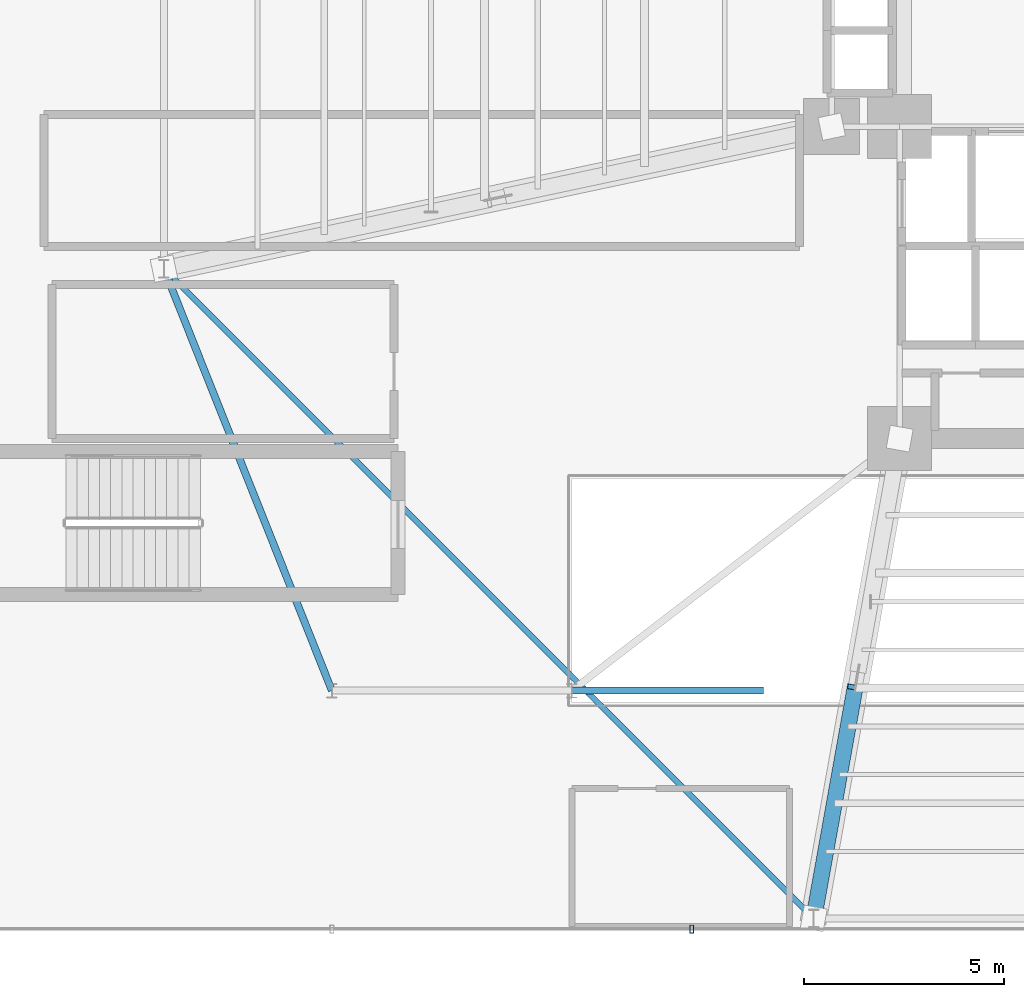
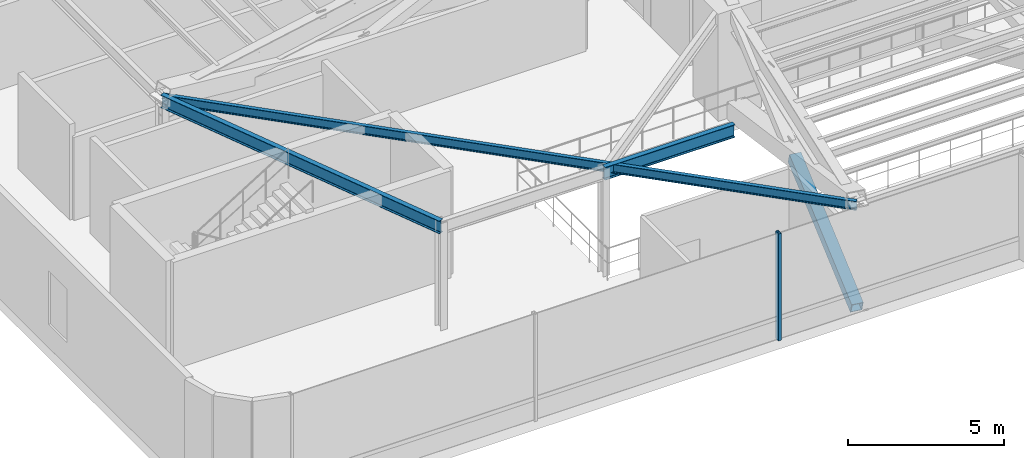
# One storey, part 6 of 32: 3 beams, 2 members, 1 element without a shape of its own.
"""IFC4 building model written with IfcOpenShell, lengths in metres."""

from ifc_helpers import new_model, si_unit, direction, frame, origin, origin_2d, place, context, subcontext, project, spatial, hollow_rectangle, i_section, extrude, source, transform, mapped, material, material_profile, profile_set, type_object, element, aggregate, save


model = new_model("IFC4")

# Units and contexts
model_context = context("Model", 3, precision=1e-05, world=origin(), true_north=direction((0.0, 1.0)))
body_context = subcontext(model_context, "Body", "Model", "MODEL_VIEW")
ifc_project = project(units=[si_unit("LENGTHUNIT", "METRE"), si_unit("AREAUNIT", "SQUARE_METRE"), si_unit("VOLUMEUNIT", "CUBIC_METRE"), si_unit("PLANEANGLEUNIT", "RADIAN"), si_unit("MASSUNIT", "GRAM", prefix="KILO")], contexts=[model_context])

# Site, building, storey
site_placement = place(None, origin())
site = spatial("IfcSite", under=ifc_project, at=site_placement, CompositionType="ELEMENT")
building_placement = place(site_placement, origin())
building = spatial("IfcBuilding", under=site, at=building_placement, Name="Sahyath Konkavel Grand Hotel", CompositionType="ELEMENT")
storey_placement = place(building_placement, frame((0.0, 0.0, 14.10009765625)))
storey = spatial("IfcBuildingStorey", under=building, at=storey_placement, Name="L03", CompositionType="ELEMENT", Elevation=14.10009765625)

# Beams
ifc_material_1 = material(Name="Steel E350", Category="steel")
ifc_material_profile_1 = material_profile(ifc_material_1, i_section(OverallWidth=0.179931640625, OverallDepth=0.5, WebThickness=0.01025390625, FlangeThickness=0.01708984375, FilletRadius=0.01708984375, at=origin_2d()), Name="ISMB 500")
ifc_profile_set_1 = profile_set([ifc_material_profile_1], Name="Steel E350")
beam_type_1 = type_object("IfcBeamType", Name="BM-ISMB500", PredefinedType="BEAM", material=ifc_profile_set_1)
shared_shape_1 = source(origin(), body_context, "Body", "SweptSolid", [
    extrude(i_section(OverallWidth=0.179931640625, OverallDepth=0.5, WebThickness=0.01025390625, FlangeThickness=0.01708984375, FilletRadius=0.01708984375, at=origin_2d()), origin(), (0.0, 0.0, 1.0), 4.800048828125),
])
beam_1_placement = place(storey_placement, frame((-12.0, -16.5, 3.929931640625), z_axis=(1.0, 0.0, 0.0), x_axis=(0.0, 1.0, 0.0)))
element("IfcBeam", 1, at=beam_1_placement, inside=storey, type_object=beam_type_1, Name="str:bm:L03:POD34-06", PredefinedType="BEAM", context=body_context, shape_type="MappedRepresentation", body=[
    mapped(shared_shape_1, transform((0.0, 0.0, 0.0), scale=1.0)),
])
shared_shape_2 = source(origin(), body_context, "Body", "SweptSolid", [
    extrude(i_section(OverallWidth=0.179931640625, OverallDepth=0.5, WebThickness=0.01025390625, FlangeThickness=0.01708984375, FilletRadius=0.01708984375, at=origin_2d()), origin(), (0.0, 0.0, 1.0), 11.355224609375),
])
beam_2_placement = place(storey_placement, frame((-18.0, -16.5, 3.929931640625), z_axis=(-0.369866633086, 0.929084858196, 0.0), x_axis=(-0.929084858196, -0.369866633086, 0.0)))
element("IfcBeam", 2, at=beam_2_placement, inside=storey, type_object=beam_type_1, Name="str:bm:L03:POD34-13", PredefinedType="BEAM", context=body_context, shape_type="MappedRepresentation", body=[
    mapped(shared_shape_2, transform((0.0, 0.0, 0.0), scale=1.0)),
])
ifc_material_profile_2 = material_profile(ifc_material_1, i_section(OverallWidth=0.139892578125, OverallDepth=0.35009765625, WebThickness=0.008056640625, FlangeThickness=0.01416015625, FilletRadius=0.013916015625, at=origin_2d()), Name="ISMB 350")
ifc_profile_set_2 = profile_set([ifc_material_profile_2], Name="Steel E350")
beam_type_2 = type_object("IfcBeamType", Name="BM-ISMB350", PredefinedType="BEAM", material=ifc_profile_set_2)
shared_shape_3 = source(origin(), body_context, "Body", "SweptSolid", [
    extrude(i_section(OverallWidth=0.139892578125, OverallDepth=0.35009765625, WebThickness=0.008056640625, FlangeThickness=0.01416015625, FilletRadius=0.013916015625, at=origin_2d()), origin(), (0.0, 0.0, 1.0), 22.98095703125),
])
beam_3_placement = place(storey_placement, frame((-22.199951171875, -5.949951171875, 4.0048828125), z_axis=(0.707106781187, -0.707106781187, 0.0), x_axis=(0.707106781187, 0.707106781187, 0.0)))
element("IfcBeam", 3, at=beam_3_placement, inside=storey, type_object=beam_type_2, Name="L03 Re-Entrant Tie Beam SW", PredefinedType="BEAM", context=body_context, shape_type="MappedRepresentation", body=[
    mapped(shared_shape_3, transform((0.0, 0.0, 0.0), scale=1.0)),
])

# Member
ifc_material_2 = material(Name="Steel E450", Category="steel")
ifc_material_profile_3 = material_profile(ifc_material_2, hollow_rectangle(XDim=0.39990234375, YDim=0.39990234375, WallThickness=0.02001953125, at=origin_2d()), Name="SHS 400x400x20")
ifc_profile_set_3 = profile_set([ifc_material_profile_3], Name="Steel E450")
member_type_1 = type_object("IfcMemberType", Name="BR-SHS400", PredefinedType="BRACE", material=ifc_profile_set_3)
shared_shape_4 = source(origin(), body_context, "Body", "SweptSolid", [
    extrude(hollow_rectangle(XDim=0.39990234375, YDim=0.39990234375, WallThickness=0.02001953125, at=origin_2d()), origin(), (0.0, 0.0, 1.0), 6.20068359375),
])
member_1_placement = place(storey_placement, frame((-5.949951171875, -22.199951171875, 0.010009765625), z_axis=(0.16690560693, 0.931584491619, 0.322944040586), x_axis=(-0.984326620303, 0.176355052556, 0.0)))
element("IfcMember", 4, at=member_1_placement, inside=storey, type_object=member_type_1, Name="L03 Ballroom Steel Transfer Truss SA Split Lower Diagonal 2A", PredefinedType="BRACE", context=body_context, shape_type="MappedRepresentation", body=[
    mapped(shared_shape_4, transform((0.0, 0.0, 0.0), scale=1.0)),
])

# Curtain wall, member
ifc_material_3 = material(Name="Anodised Bronze Aluminium & Low-E Glazing", Category="aluminium")
curtain_wall_type = type_object("IfcCurtainWallType", Name="CW-PODIUM", PredefinedType="NOTDEFINED", material=ifc_material_3)
curtain_wall_placement = place(storey_placement, origin())
curtain_wall = element("IfcCurtainWall", 5, at=curtain_wall_placement, inside=storey, type_object=curtain_wall_type, Name="L03 Unitised Curtain Wall S", PredefinedType="NOTDEFINED")
ifc_material_4 = material(Name="Anodised Bronze Aluminium", Category="aluminium")
ifc_material_profile_4 = material_profile(ifc_material_4, hollow_rectangle(XDim=0.10009765625, YDim=0.199951171875, WallThickness=0.008056640625, at=origin_2d()), Name="RHS 200x100x8")
ifc_profile_set_4 = profile_set([ifc_material_profile_4], Name="Anodised Bronze Aluminium")
member_type_2 = type_object("IfcMemberType", Name="CW-MUL-200", PredefinedType="MULLION", material=ifc_profile_set_4)
shared_shape_5 = source(origin(), body_context, "Body", "SweptSolid", [
    extrude(hollow_rectangle(XDim=0.10009765625, YDim=0.199951171875, WallThickness=0.008056640625, at=origin_2d()), origin(), (0.0, 0.0, 1.0), 4.179931640625),
])
member_2_placement = place(storey_placement, frame((-8.998779296875, -22.465087890625, 0.0), z_axis=(0.0, 0.0, 1.0), x_axis=(1.0, 0.0, 0.0)))
member_2 = element("IfcMember", 6, at=member_2_placement, type_object=member_type_2, Name="L03 Curtain Wall Mullion S-2", PredefinedType="MULLION", context=body_context, shape_type="MappedRepresentation", body=[
    mapped(shared_shape_5, transform((0.0, 0.0, 0.0), scale=1.0)),
])
aggregate(curtain_wall, [member_2])

save(model, "model.ifc")
